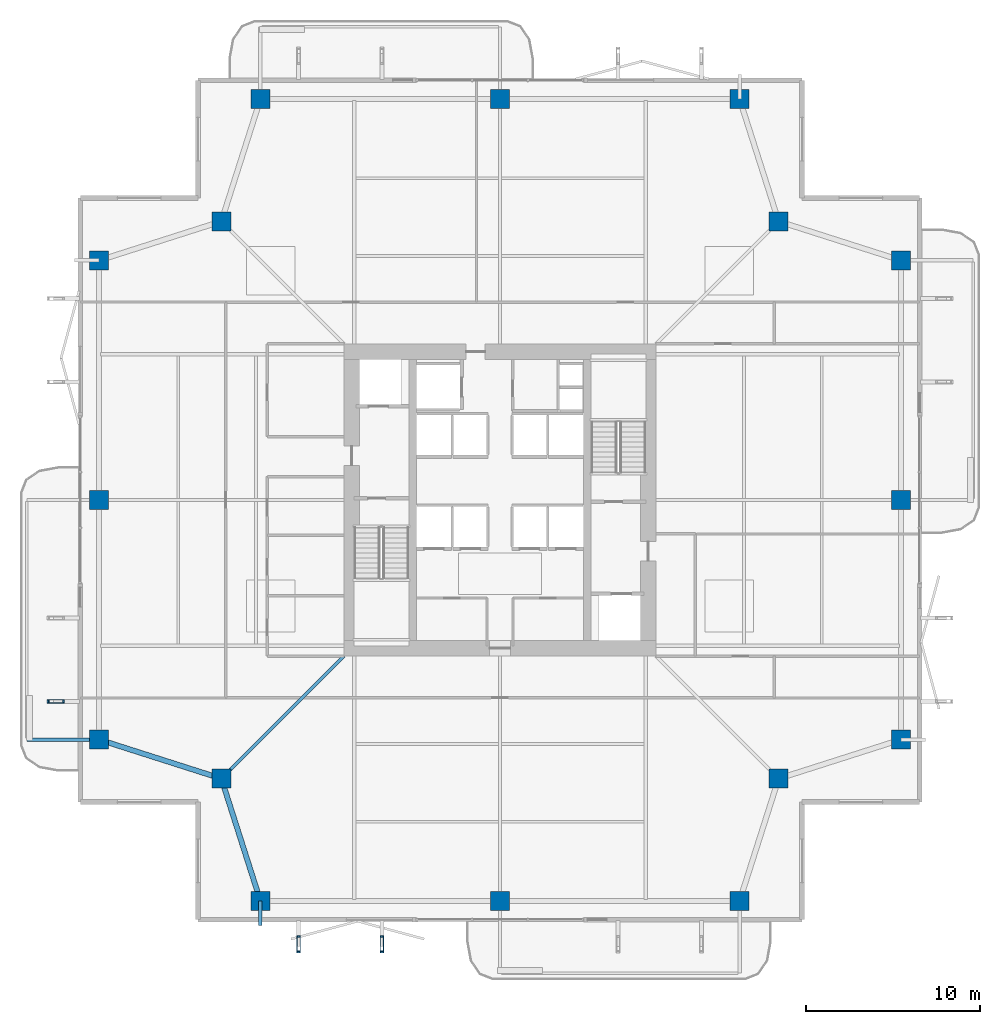
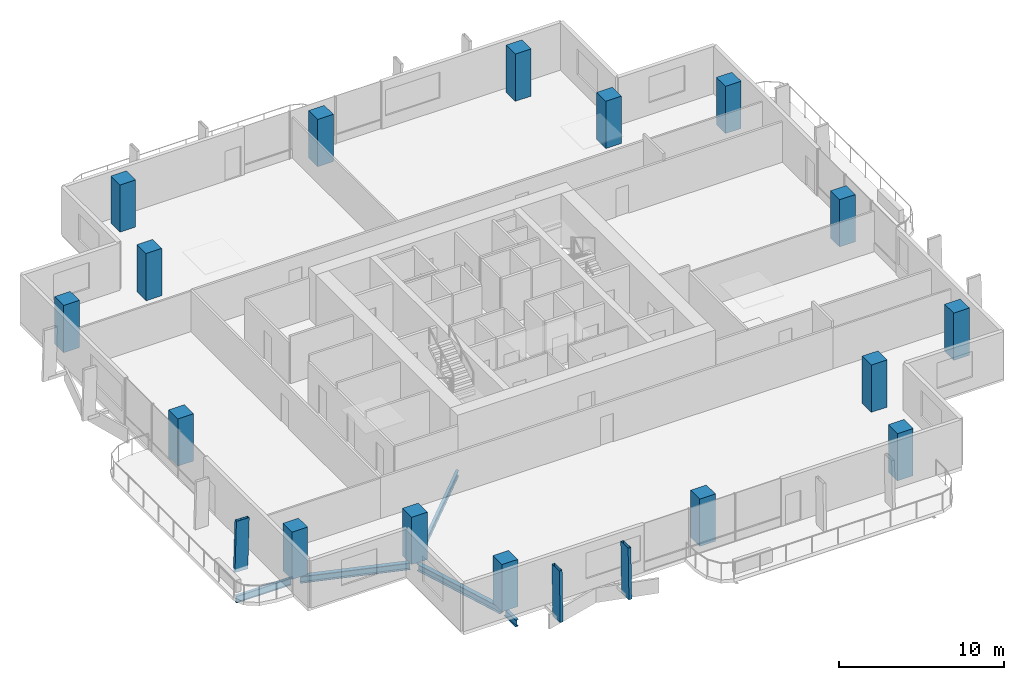
# One storey, part 1 of 23: 16 columns, 5 beams, 3 members.
"""IFC4 building model written with IfcOpenShell, lengths in metres."""

import ifcopenshell
import ifcopenshell.guid

model = None  # the IFC model being written
_history = None  # IfcOwnerHistory: only IFC2X3 demands one
_inside = {}  # id of a spatial element -> (the spatial element, [elements in it])
_under = {}  # id of a project, library or spatial element -> (it, [spatial elements below it])
_declared = {}  # id of a project -> (the project, [libraries it declares])
_typed = {}  # id of a type object -> (the type object, [elements of that type])
_made_of = {}  # id of a material, layer set ... -> (it, [elements and type objects made of it])


def new_model(schema):
    """Start an empty IFC model of exactly this schema.

    Asked for "IFC4X3", IfcOpenShell would pick the latest addendum, in which some entities
    have other attributes; the version numbers below select the first issue.
    IFC2X3 requires an IfcOwnerHistory on every rooted entity: one is made here for all.
    """
    global model, _history
    if schema == "IFC4X3":
        model = ifcopenshell.file(schema_version=(4, 3, 0, 0))
    else:
        model = ifcopenshell.file(schema=schema)
    _inside.clear()
    _under.clear()
    _declared.clear()
    _typed.clear()
    _made_of.clear()
    _history = None
    if model.schema == "IFC2X3":
        org = make("IfcOrganization", Name="unknown")
        user = make(
            "IfcPersonAndOrganization",
            ThePerson=make("IfcPerson", FamilyName="unknown"),
            TheOrganization=org,
        )
        app = make(
            "IfcApplication",
            ApplicationDeveloper=org,
            Version="unknown",
            ApplicationFullName="unknown",
            ApplicationIdentifier="unknown",
        )
        _history = make(
            "IfcOwnerHistory",
            OwningUser=user,
            OwningApplication=app,
            ChangeAction="ADDED",
            CreationDate=0,
        )
    return model


def make(cls, **values):
    """One entity of the class cls with the attributes given. An attribute that is None is left unset."""
    return model.create_entity(
        cls, **{name: value for name, value in values.items() if value is not None}
    )


def rooted(cls, **values):
    """An entity with a GlobalId (a new one), such as an element, a storey or a relation."""
    return make(cls, GlobalId=ifcopenshell.guid.new(), OwnerHistory=_history, **values)


def si_unit(unit_type, name, prefix=None):
    """IfcSIUnit, for example si_unit("LENGTHUNIT", "METRE", prefix="MILLI")."""
    return make("IfcSIUnit", UnitType=unit_type, Prefix=prefix, Name=name)


def assignment(units):
    """IfcUnitAssignment: the units of a project."""
    return None if units is None else make("IfcUnitAssignment", Units=units)


def point(xyz):
    """IfcCartesianPoint."""
    return None if xyz is None else make("IfcCartesianPoint", Coordinates=xyz)


def direction(xyz):
    """IfcDirection."""
    return None if xyz is None else make("IfcDirection", DirectionRatios=xyz)


def frame(location, z_axis=None, x_axis=None):
    """IfcAxis2Placement3D, a coordinate frame: its origin and axes. An axis left out is left unset."""
    return make(
        "IfcAxis2Placement3D",
        Location=point(location),
        Axis=direction(z_axis),
        RefDirection=direction(x_axis),
    )


def frame_2d(location, x_axis=None):
    """IfcAxis2Placement2D, a coordinate frame in the plane: its origin and x axis."""
    return make(
        "IfcAxis2Placement2D", Location=point(location), RefDirection=direction(x_axis)
    )


def origin():
    """The frame at (0, 0, 0) with its axes left unset."""
    return frame((0.0, 0.0, 0.0))


def origin_2d():
    """The frame at (0, 0) in the plane with its x axis left unset."""
    return frame_2d((0.0, 0.0))


def place(relative_to, where):
    """IfcLocalPlacement: puts the frame where relative to a parent placement (None: the world)."""
    return make(
        "IfcLocalPlacement", PlacementRelTo=relative_to, RelativePlacement=where
    )


def context(
    kind, dimensions, precision=None, world=None, true_north=None, identifier=None
):
    """IfcGeometricRepresentationContext, for example the 3D "Model" context."""
    return make(
        "IfcGeometricRepresentationContext",
        ContextIdentifier=identifier,
        ContextType=kind,
        CoordinateSpaceDimension=dimensions,
        Precision=precision,
        WorldCoordinateSystem=world,
        TrueNorth=true_north,
    )


def subcontext(parent, identifier, kind, view, scale=None):
    """IfcGeometricRepresentationSubContext, for example "Body" below "Model"."""
    return make(
        "IfcGeometricRepresentationSubContext",
        ContextIdentifier=identifier,
        ContextType=kind,
        ParentContext=parent,
        TargetScale=scale,
        TargetView=view,
    )


def project(units=None, contexts=None):
    """IfcProject with its units and contexts."""
    return rooted(
        "IfcProject",
        Name="project",
        RepresentationContexts=contexts,
        UnitsInContext=assignment(units),
    )


def spatial(cls, under=None, at=None, **own):
    """A site, building, storey or space (cls), placed at a placement, below another one or the project."""
    s = rooted(cls, ObjectPlacement=at, **own)
    if under is not None:
        _under.setdefault(under.id(), (under, []))[1].append(s)
    return s


def profile(cls, at=None, kind="AREA", **sizes):
    """A parametric profile (cls). Its sizes go by their IFC names, for example OverallWidth=200.0."""
    return make(cls, ProfileType=kind, Position=at, **sizes)


def rectangle(**sizes):
    """IfcRectangleProfileDef."""
    return profile("IfcRectangleProfileDef", **sizes)


def hollow_rectangle(**sizes):
    """IfcRectangleHollowProfileDef."""
    return profile("IfcRectangleHollowProfileDef", **sizes)


def i_section(**sizes):
    """IfcIShapeProfileDef."""
    return profile("IfcIShapeProfileDef", **sizes)


def extrude(swept, where, along, depth):
    """IfcExtrudedAreaSolid: the profile swept, set in the frame where, extruded along a direction by depth."""
    return make(
        "IfcExtrudedAreaSolid",
        SweptArea=swept,
        Position=where,
        ExtrudedDirection=direction(along),
        Depth=depth,
    )


def shape(context_of_items, identifier, shape_type, items):
    """IfcShapeRepresentation: the items that make up one representation, for example the "Body"."""
    return make(
        "IfcShapeRepresentation",
        ContextOfItems=context_of_items,
        RepresentationIdentifier=identifier,
        RepresentationType=shape_type,
        Items=items,
    )


def material(Name=None, Category=None):
    """IfcMaterial."""
    return make("IfcMaterial", Name=Name, Category=Category)


def material_profile(
    of_material, cross_section, Name=None, Category=None, Priority=None
):
    """IfcMaterialProfile: a cross section and its material."""
    return make(
        "IfcMaterialProfile",
        Name=Name,
        Material=of_material,
        Profile=cross_section,
        Priority=Priority,
        Category=Category,
    )


def profile_set(profiles, Name=None, composite=None):
    """IfcMaterialProfileSet."""
    return make(
        "IfcMaterialProfileSet",
        Name=Name,
        MaterialProfiles=profiles,
        CompositeProfile=composite,
    )


def made_of(thing, what):
    """Note that an element or type object is made of a material, layer set ...; save() writes the relation."""
    if what is not None:
        _made_of.setdefault(what.id(), (what, []))[1].append(thing)
    return thing


def type_object(cls, material=None, **own):
    """A type object (cls), such as IfcWallType, which elements share."""
    return made_of(rooted(cls, **own), material)


def element(
    cls,
    number,
    at=None,
    inside=None,
    cuts=None,
    type_object=None,
    material=None,
    context=None,
    identifier="Body",
    shape_type=None,
    held_by="IfcProductDefinitionShape",
    body=None,
    shapes=None,
    **own,
):
    """One element of the class cls, such as IfcWall. Its Tag is "e" and its number.

    at: its placement. inside: the storey or other place that contains it. cuts: it is an
    opening in that element (IfcRelVoidsElement). A single representation is given by context,
    identifier, shape_type and body (its items); several are given by shapes. held_by: the class
    of the entity that holds the representations. save() writes the other relations.
    """
    e = rooted(cls, Tag="e%d" % number, ObjectPlacement=at, **own)
    if body is not None:
        shapes = [shape(context, identifier, shape_type, body)]
    if shapes is not None:
        e.Representation = make(held_by, Representations=shapes)
    if inside is not None:
        _inside.setdefault(inside.id(), (inside, []))[1].append(e)
    if cuts is not None:
        rooted(
            "IfcRelVoidsElement", RelatingBuildingElement=cuts, RelatedOpeningElement=e
        )
    if type_object is not None:
        _typed.setdefault(type_object.id(), (type_object, []))[1].append(e)
    return made_of(e, material)


def aggregate(whole, parts):
    """IfcRelAggregates: a whole, such as a stair, and the parts it consists of."""
    return rooted("IfcRelAggregates", RelatingObject=whole, RelatedObjects=parts)


def save(model, path):
    """Write the relations noted so far, then the file.

    IfcRelAggregates (storeys below a building ...), IfcRelContainedInSpatialStructure (elements
    in a storey), IfcRelDefinesByType, IfcRelAssociatesMaterial and IfcRelDeclares: one each for
    every whole, place, type object, material and project.
    """
    for whole, parts in _under.values():
        aggregate(whole, parts)
    for where, things in _inside.values():
        rooted(
            "IfcRelContainedInSpatialStructure",
            RelatedElements=things,
            RelatingStructure=where,
        )
    for kind, things in _typed.values():
        rooted("IfcRelDefinesByType", RelatedObjects=things, RelatingType=kind)
    for what, things in _made_of.values():
        rooted("IfcRelAssociatesMaterial", RelatedObjects=things, RelatingMaterial=what)
    for by, libraries in _declared.values():
        rooted("IfcRelDeclares", RelatingContext=by, RelatedDefinitions=libraries)
    model.write(path)


model = new_model("IFC4")

# Units and contexts
model_context = context("Model", 3, precision=1e-05, world=origin(), true_north=direction((0.0, 1.0)))
body_context = subcontext(model_context, "Body", "Model", "MODEL_VIEW")
ifc_project = project(units=[si_unit("LENGTHUNIT", "METRE"), si_unit("AREAUNIT", "SQUARE_METRE"), si_unit("VOLUMEUNIT", "CUBIC_METRE"), si_unit("PLANEANGLEUNIT", "RADIAN"), si_unit("MASSUNIT", "GRAM", prefix="KILO")], contexts=[model_context])

# Site, building, storey
site_placement = place(None, origin())
site = spatial("IfcSite", under=ifc_project, at=site_placement, CompositionType="ELEMENT")
building_placement = place(site_placement, origin())
building = spatial("IfcBuilding", under=site, at=building_placement, Name="Belovzor Exchange Tower", CompositionType="ELEMENT")
storey_placement = place(building_placement, frame((0.0, 0.0, 157.050048828125)))
storey = spatial("IfcBuildingStorey", under=building, at=storey_placement, Name="L38", CompositionType="ELEMENT", Elevation=157.050048828125)

# Columns
ifc_material_1 = material(Name="Concrete C50/60", Category="concrete")
ifc_material_profile_1 = material_profile(ifc_material_1, rectangle(XDim=1.10009765625, YDim=1.10009765625, at=origin_2d()))
ifc_profile_set_1 = profile_set([ifc_material_profile_1], Name="Concrete C50/60")
column_type = type_object("IfcColumnType", Name="Reinforced Concrete Tower Column 1100x1100", PredefinedType="COLUMN", material=ifc_profile_set_1)
for number, where, z_axis, x_axis, name in (
    (1, (15.0, 5.699951171875, 0.0029296875), (0.0, 0.0, 1.0), (1.0, 0.0, 0.0), "COL-T110 Reinforced Concrete Tower Column 1100x1100"),
    (2, (28.800048828125, 5.699951171875, 0.0029296875), (0.0, 0.0, 1.0), (1.0, 0.0, 0.0), "COL-T110 Reinforced Concrete Tower Column 1100x1100"),
    (3, (42.60009765625, 5.699951171875, 0.0029296875), (0.0, 0.0, 1.0), (1.0, 0.0, 0.0), "COL-T110 Reinforced Concrete Tower Column 1100x1100"),
    (4, (51.89990234375, 15.0, 0.0029296875), (0.0, 0.0, 1.0), (1.0, 0.0, 0.0), "COL-T110 Reinforced Concrete Tower Column 1100x1100"),
    (5, (51.89990234375, 28.800048828125, 0.0029296875), (0.0, 0.0, 1.0), (1.0, 0.0, 0.0), "COL-T110 Reinforced Concrete Tower Column 1100x1100"),
    (6, (51.89990234375, 42.60009765625, 0.0029296875), (0.0, 0.0, 1.0), (1.0, 0.0, 0.0), "COL-T110 Reinforced Concrete Tower Column 1100x1100"),
    (7, (42.60009765625, 51.89990234375, 0.0029296875), (0.0, 0.0, 1.0), (1.0, 0.0, 0.0), "COL-T110 Reinforced Concrete Tower Column 1100x1100"),
    (8, (28.800048828125, 51.89990234375, 0.0029296875), (0.0, 0.0, 1.0), (1.0, 0.0, 0.0), "COL-T110 Reinforced Concrete Tower Column 1100x1100"),
    (9, (15.0, 51.89990234375, 0.0029296875), (0.0, 0.0, 1.0), (1.0, 0.0, 0.0), "COL-T110 Reinforced Concrete Tower Column 1100x1100"),
    (10, (5.699951171875, 42.60009765625, 0.0029296875), (0.0, 0.0, 1.0), (1.0, 0.0, 0.0), "COL-T110 Reinforced Concrete Tower Column 1100x1100"),
    (11, (5.699951171875, 28.800048828125, 0.0029296875), (0.0, 0.0, 1.0), (1.0, 0.0, 0.0), "COL-T110 Reinforced Concrete Tower Column 1100x1100"),
    (12, (5.699951171875, 15.0, 0.0029296875), (0.0, 0.0, 1.0), (1.0, 0.0, 0.0), "COL-T110 Reinforced Concrete Tower Column 1100x1100"),
    (13, (12.75, 12.75, 0.0029296875), (0.0, 0.0, 1.0), (1.0, 0.0, 0.0), "COL-T110 Reinforced Concrete Tower Column 1100x1100"),
    (14, (44.85009765625, 12.75, 0.0029296875), (0.0, 0.0, 1.0), (1.0, 0.0, 0.0), "COL-T110 Reinforced Concrete Tower Column 1100x1100"),
    (15, (44.85009765625, 44.85009765625, 0.0029296875), (0.0, 0.0, 1.0), (1.0, 0.0, 0.0), "COL-T110 Reinforced Concrete Tower Column 1100x1100"),
    (16, (12.75, 44.85009765625, 0.0029296875), (0.0, 0.0, 1.0), (1.0, 0.0, 0.0), "COL-T110 Reinforced Concrete Tower Column 1100x1100"),
):
    element("IfcColumn", number, at=place(storey_placement, frame(where, z_axis=z_axis, x_axis=x_axis)), inside=storey, type_object=column_type, Name=name, PredefinedType="COLUMN", context=body_context, shape_type="SweptSolid", body=[
        extrude(rectangle(XDim=1.10009765625, YDim=1.10009765625, at=origin_2d()), origin(), (0.0, 0.0, 1.0), 3.489013671875),
    ])

# Beams
ifc_material_2 = material(Name="Steel S355", Category="steel")
ifc_material_profile_2 = material_profile(ifc_material_2, i_section(OverallWidth=0.199951171875, OverallDepth=0.5, WebThickness=0.01025390625, FlangeThickness=0.01611328125, at=origin_2d()))
ifc_profile_set_2 = profile_set([ifc_material_profile_2], Name="Steel S355")
beam_type_1 = type_object("IfcBeamType", Name="Planted Balcony Cantilever Beam IPE 500", PredefinedType="BEAM", material=ifc_profile_set_2)
beam_1_placement = place(storey_placement, frame((5.39697265625, 15.0, -0.505126953125), z_axis=(-1.0, 0.0, 0.0), x_axis=(0.0, -1.0, 0.0)))
element("IfcBeam", 17, at=beam_1_placement, inside=storey, type_object=beam_type_1, Name="BC-500 Planted Balcony Cantilever Beam IPE 500", PredefinedType="BEAM", context=body_context, shape_type="SweptSolid", body=[
    extrude(i_section(OverallWidth=0.199951171875, OverallDepth=0.5, WebThickness=0.01025390625, FlangeThickness=0.01611328125, at=origin_2d()), origin(), (0.0, 0.0, 1.0), 3.849853515625),
])
beam_2_placement = place(storey_placement, frame((15.0, 5.699951171875, -0.505126953125), z_axis=(0.0, -1.0, 0.0), x_axis=(1.0, 0.0, 0.0)))
element("IfcBeam", 18, at=beam_2_placement, inside=storey, type_object=beam_type_1, Name="BC-500 Planted Balcony Cantilever Beam IPE 500", PredefinedType="BEAM", context=body_context, shape_type="SweptSolid", body=[
    extrude(i_section(OverallWidth=0.199951171875, OverallDepth=0.5, WebThickness=0.01025390625, FlangeThickness=0.01611328125, at=origin_2d()), origin(), (0.0, 0.0, 1.0), 1.39990234375),
])

# Members
ifc_material_3 = material(Name="Extruded Architectural Terracotta on Steel S355 Carrier", Category="masonry")
ifc_material_profile_3 = material_profile(ifc_material_3, hollow_rectangle(XDim=0.199951171875, YDim=0.89990234375, WallThickness=0.011962890625, at=origin_2d()))
ifc_profile_set_3 = profile_set([ifc_material_profile_3], Name="Extruded Architectural Terracotta on Steel S355 Carrier")
member_type = type_object("IfcMemberType", Name="Sweeping Terracotta Baguette Fin Assembly 1250", PredefinedType="USERDEFINED", material=ifc_profile_set_3)
for number, where, z_axis, x_axis, name in (
    (19, (17.199951171875, 3.156982421875, -0.255126953125), (0.0, 0.027203470401, 0.999629917118), (-1.0, 0.0, 0.0), "FIN-TC125 Terracotta Facade Fin L38 S1"),
    (20, (3.156982421875, 17.199951171875, -0.255126953125), (0.027203470401, 0.0, 0.999629917118), (0.0, 1.0, 0.0), "FIN-TC125 Terracotta Facade Fin L38 W1"),
    (21, (22.0, 3.156982421875, -0.255126953125), (0.0, 0.027203470401, 0.999629917118), (-1.0, 0.0, 0.0), "FIN-TC125 Terracotta Facade Fin L38 S2"),
):
    element("IfcMember", number, at=place(storey_placement, frame(where, z_axis=z_axis, x_axis=x_axis)), inside=storey, type_object=member_type, Name=name, ObjectType="FIN", PredefinedType="USERDEFINED", context=body_context, shape_type="SweptSolid", body=[
        extrude(hollow_rectangle(XDim=0.199951171875, YDim=0.89990234375, WallThickness=0.011962890625, at=origin_2d()), origin(), (0.0, 0.0, 1.0), 3.75146484375),
    ])

# Beams
ifc_material_4 = material(Name="Steel S355", Category="steel")
ifc_material_profile_4 = material_profile(ifc_material_4, i_section(OverallWidth=0.18994140625, OverallDepth=0.449951171875, WebThickness=0.009521484375, FlangeThickness=0.0146484375, at=origin_2d()))
ifc_profile_set_4 = profile_set([ifc_material_profile_4], Name="Steel S355")
beam_type_2 = type_object("IfcBeamType", Name="Zone 2-4 Radial Composite Floor Beam IPE 450", PredefinedType="BEAM", material=ifc_profile_set_4)
beam_3_placement = place(storey_placement, frame((19.800048828125, 19.800048828125, -0.47998046875), z_axis=(-0.707106781187, -0.707106781187, 0.0), x_axis=(0.707106781187, -0.707106781187, 0.0)))
element("IfcBeam", 22, at=beam_3_placement, inside=storey, type_object=beam_type_2, Name="FB-450 Zone 2-4 Radial Composite Floor Beam IPE 450", PredefinedType="BEAM", context=body_context, shape_type="SweptSolid", body=[
    extrude(i_section(OverallWidth=0.18994140625, OverallDepth=0.449951171875, WebThickness=0.009521484375, FlangeThickness=0.0146484375, at=origin_2d()), origin(), (0.0, 0.0, 1.0), 9.58154296875),
])
ifc_material_5 = material(Name="Steel S355", Category="steel")
ifc_material_profile_5 = material_profile(ifc_material_5, i_section(OverallWidth=0.300048828125, OverallDepth=0.5, WebThickness=0.014404296875, FlangeThickness=0.028076171875, at=origin_2d()))
ifc_profile_set_5 = profile_set([ifc_material_profile_5], Name="Steel S355")
beam_type_3 = type_object("IfcBeamType", Name="Zone 3 Waist Primary Girder HEB 500", PredefinedType="BEAM", material=ifc_profile_set_5)
for number, where, z_axis, x_axis, name in (
    (23, (12.842041015625, 12.4619140625, -0.505126953125), (0.304011730457, -0.952668288411, 0.0), (0.952668288411, 0.304011730457, 0.0), "FG-Z3 Zone 3 Waist Primary Girder HEB 500"),
    (24, (5.988037109375, 14.907958984375, -0.505126953125), (0.952668288411, -0.304011730457, 0.0), (0.304011730457, 0.952668288411, 0.0), "FG-Z3 Zone 3 Waist Primary Girder HEB 500"),
):
    element("IfcBeam", number, at=place(storey_placement, frame(where, z_axis=z_axis, x_axis=x_axis)), inside=storey, type_object=beam_type_3, Name=name, PredefinedType="BEAM", context=body_context, shape_type="SweptSolid", body=[
        extrude(i_section(OverallWidth=0.300048828125, OverallDepth=0.5, WebThickness=0.014404296875, FlangeThickness=0.028076171875, at=origin_2d()), origin(), (0.0, 0.0, 1.0), 6.79541015625),
    ])

save(model, "model.ifc")
